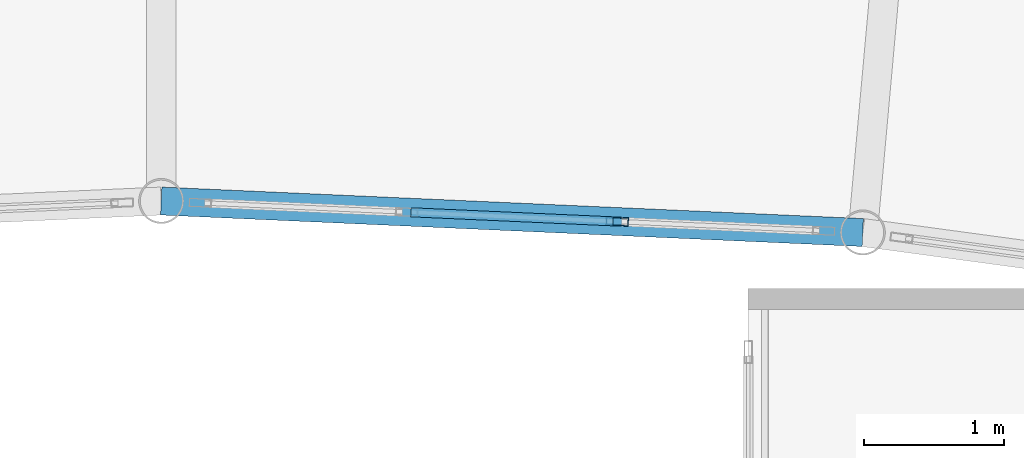
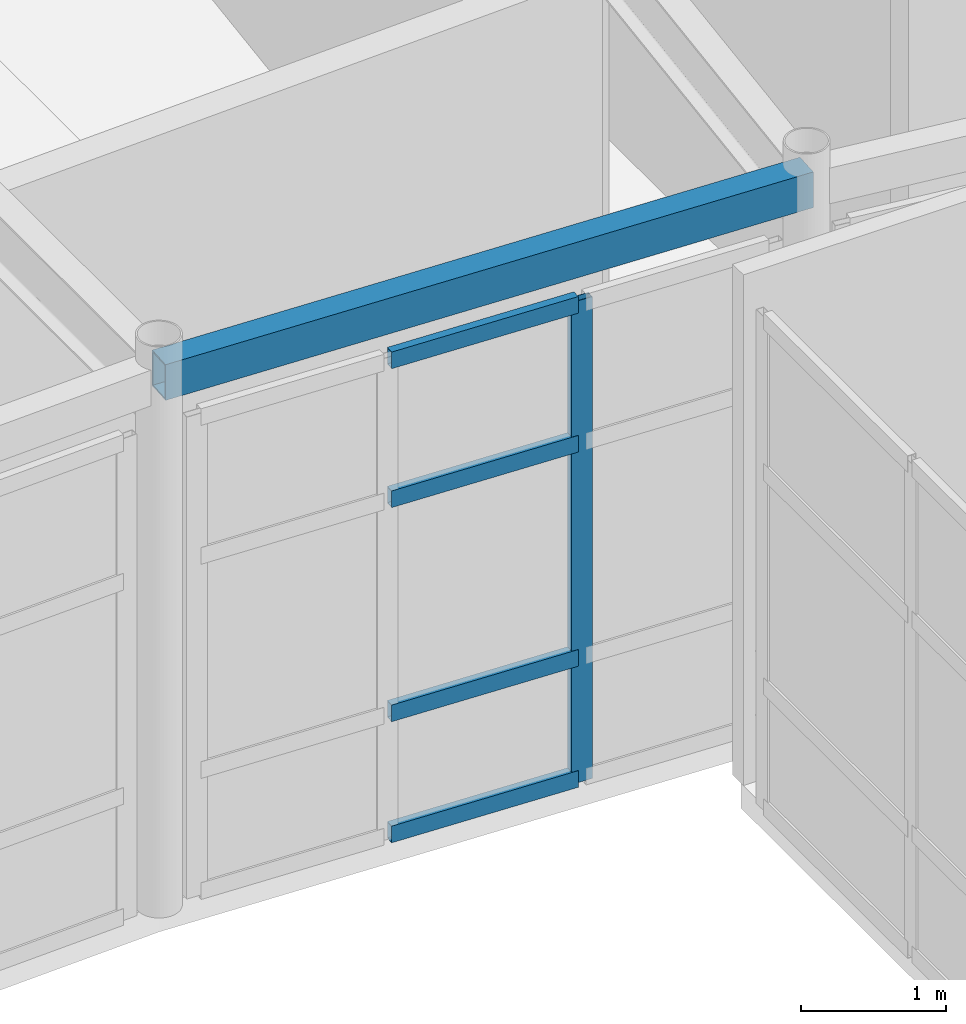
# One storey, part 63 of 105: 5 members, 1 beam, 1 element without a shape of its own.
"""IFC4 building model written with IfcOpenShell, lengths in metres."""

from ifc_helpers import new_model, si_unit, direction, frame, origin, origin_2d, place, context, subcontext, project, spatial, hollow_rectangle, extrude, material, layer, layer_set, material_profile, profile_set, type_object, element, aggregate, save


model = new_model("IFC4")

# Units and contexts
model_context = context("Model", 3, precision=1e-05, world=origin(), true_north=direction((0.0, 1.0)))
body_context = subcontext(model_context, "Body", "Model", "MODEL_VIEW")
ifc_project = project(units=[si_unit("LENGTHUNIT", "METRE"), si_unit("AREAUNIT", "SQUARE_METRE"), si_unit("VOLUMEUNIT", "CUBIC_METRE"), si_unit("PLANEANGLEUNIT", "RADIAN"), si_unit("MASSUNIT", "GRAM", prefix="KILO")], contexts=[model_context])

# Site, building, storey
site_placement = place(None, origin())
site = spatial("IfcSite", under=ifc_project, at=site_placement, CompositionType="ELEMENT")
building_placement = place(site_placement, origin())
building = spatial("IfcBuilding", under=site, at=building_placement, Name="Selat Folded Stagehouse", CompositionType="ELEMENT")
storey_placement = place(building_placement, frame((0.0, 0.0, 10.199951171875)))
storey = spatial("IfcBuildingStorey", under=building, at=storey_placement, Name="L02", CompositionType="ELEMENT", Elevation=10.199951171875)

# Curtain wall, members
ifc_material_1 = material(Name="Aluminium 6063-T6", Category="aluminium")
ifc_layer = layer(ifc_material_1, 0.18994140625)
ifc_layer_set = layer_set([ifc_layer], Name="Aluminium 6063-T6")
curtain_wall_type = type_object("IfcCurtainWallType", Name="CW-REH-ARC", PredefinedType="NOTDEFINED", material=ifc_layer_set)
curtain_wall_placement = place(storey_placement, origin())
curtain_wall = element("IfcCurtainWall", 1, at=curtain_wall_placement, inside=storey, type_object=curtain_wall_type, Name="L02 curtain wall CW-REH-L02-07", PredefinedType="NOTDEFINED")
ifc_material_profile_1 = material_profile(ifc_material_1, hollow_rectangle(XDim=0.06005859375, YDim=0.159912109375, WallThickness=0.00390625, at=origin_2d()), Name="ALU 160x60x4.0")
ifc_profile_set_1 = profile_set([ifc_material_profile_1], Name="Aluminium 6063-T6")
member_type_1 = type_object("IfcMemberType", Name="CWM-MUL-160x60", PredefinedType="MULLION", material=ifc_profile_set_1)
member_1_placement = place(storey_placement, frame((95.663330078125, 93.853515625, 0.0), z_axis=(0.0, 0.0, 1.0), x_axis=(-0.044862316478, -0.998993179436, 0.0)))
member_1 = element("IfcMember", 2, at=member_1_placement, type_object=member_type_1, Name="CW-06 mullion 2", PredefinedType="MULLION", context=body_context, shape_type="SweptSolid", body=[
    extrude(hollow_rectangle(XDim=0.06005859375, YDim=0.159912109375, WallThickness=0.00390625, at=origin_2d()), origin(), (0.0, 0.0, 1.0), 4.050048828125),
])
ifc_material_profile_2 = material_profile(ifc_material_1, hollow_rectangle(XDim=0.06494140625, YDim=0.139892578125, WallThickness=0.00390625, at=origin_2d()), Name="ALU 140x65x4.0")
ifc_profile_set_2 = profile_set([ifc_material_profile_2], Name="Aluminium 6063-T6")
member_type_2 = type_object("IfcMemberType", Name="CWM-TRN-140x65", PredefinedType="USERDEFINED", material=ifc_profile_set_2)
member_2_placement = place(storey_placement, frame((95.63330078125, 93.854736328125, 0.032470703125), z_axis=(-0.998994101144, 0.044841787193, 0.0), x_axis=(-0.044841787193, -0.998994101144, 0.0)))
member_2 = element("IfcMember", 3, at=member_2_placement, type_object=member_type_2, Name="CW-06 transom 2.1", ObjectType="TRANSOM", PredefinedType="USERDEFINED", context=body_context, shape_type="SweptSolid", body=[
    extrude(hollow_rectangle(XDim=0.06494140625, YDim=0.139892578125, WallThickness=0.00390625, at=origin_2d()), origin(), (0.0, 0.0, 1.0), 1.4482421875),
])
member_3_placement = place(storey_placement, frame((95.63330078125, 93.854736328125, 1.050048828125), z_axis=(-0.998994101144, 0.044841787193, 0.0), x_axis=(-0.044841787193, -0.998994101144, 0.0)))
member_3 = element("IfcMember", 4, at=member_3_placement, type_object=member_type_2, Name="CW-06 transom 2.2", ObjectType="TRANSOM", PredefinedType="USERDEFINED", context=body_context, shape_type="SweptSolid", body=[
    extrude(hollow_rectangle(XDim=0.06494140625, YDim=0.139892578125, WallThickness=0.00390625, at=origin_2d()), origin(), (0.0, 0.0, 1.0), 1.4482421875),
])
member_4_placement = place(storey_placement, frame((95.63330078125, 93.854736328125, 2.85009765625), z_axis=(-0.998994101144, 0.044841787193, 0.0), x_axis=(-0.044841787193, -0.998994101144, 0.0)))
member_4 = element("IfcMember", 5, at=member_4_placement, type_object=member_type_2, Name="CW-06 transom 2.3", ObjectType="TRANSOM", PredefinedType="USERDEFINED", context=body_context, shape_type="SweptSolid", body=[
    extrude(hollow_rectangle(XDim=0.06494140625, YDim=0.139892578125, WallThickness=0.00390625, at=origin_2d()), origin(), (0.0, 0.0, 1.0), 1.4482421875),
])
member_5_placement = place(storey_placement, frame((95.63330078125, 93.854736328125, 4.017578125), z_axis=(-0.998994101144, 0.044841787193, 0.0), x_axis=(-0.044841787193, -0.998994101144, 0.0)))
member_5 = element("IfcMember", 6, at=member_5_placement, type_object=member_type_2, Name="CW-06 transom 2.4", ObjectType="TRANSOM", PredefinedType="USERDEFINED", context=body_context, shape_type="SweptSolid", body=[
    extrude(hollow_rectangle(XDim=0.06494140625, YDim=0.139892578125, WallThickness=0.00390625, at=origin_2d()), origin(), (0.0, 0.0, 1.0), 1.4482421875),
])
aggregate(curtain_wall, [member_1, member_2, member_3, member_4, member_5])

# Beam
ifc_material_2 = material(Name="Steel S355", Category="steel")
ifc_material_profile_3 = material_profile(ifc_material_2, hollow_rectangle(XDim=0.199951171875, YDim=0.300048828125, WallThickness=0.012451171875, at=origin_2d()), Name="RHS 300x200x12.5")
ifc_profile_set_3 = profile_set([ifc_material_profile_3], Name="Steel S355")
beam_type = type_object("IfcBeamType", Name="SPD-RHS-300x200", PredefinedType="SPANDREL", material=ifc_profile_set_3)
beam_placement = place(storey_placement, frame((92.39990234375, 94.0, 4.449951171875), z_axis=(0.998994025486, -0.044843472693, 0.0), x_axis=(0.044843472693, 0.998994025486, 0.0)))
element("IfcBeam", 7, at=beam_placement, inside=storey, type_object=beam_type, Name="L02 inner curved rehearsal spandrel 8", PredefinedType="SPANDREL", context=body_context, shape_type="SweptSolid", body=[
    extrude(hollow_rectangle(XDim=0.199951171875, YDim=0.300048828125, WallThickness=0.012451171875, at=origin_2d()), origin(), (0.0, 0.0, 1.0), 5.025146484375),
])

save(model, "model.ifc")
